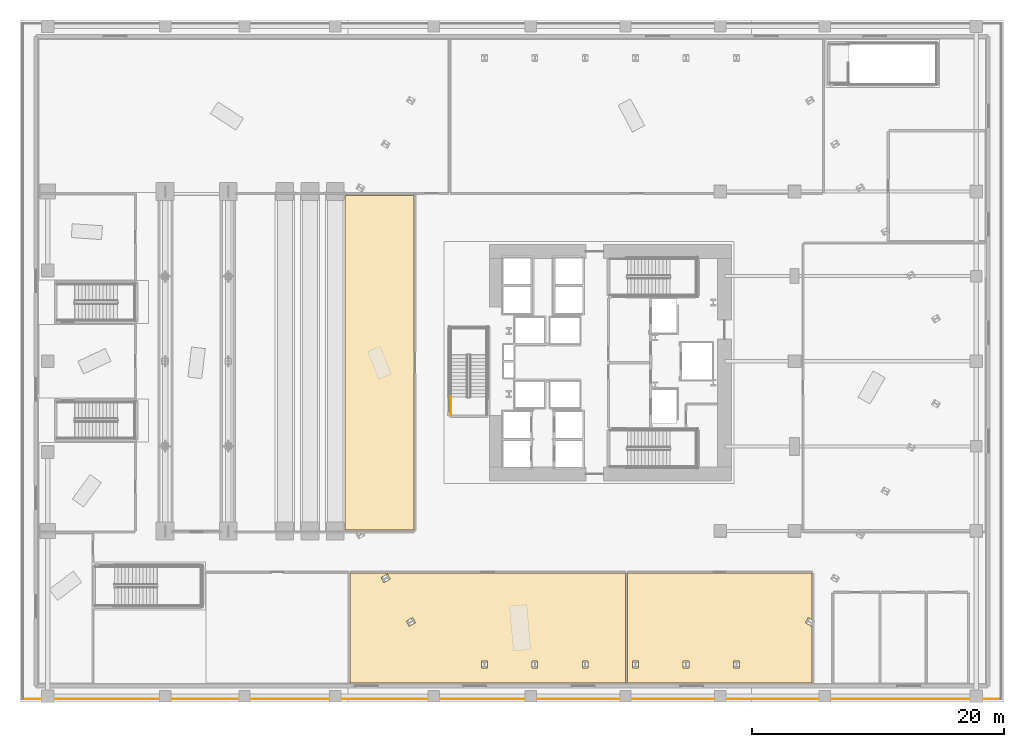
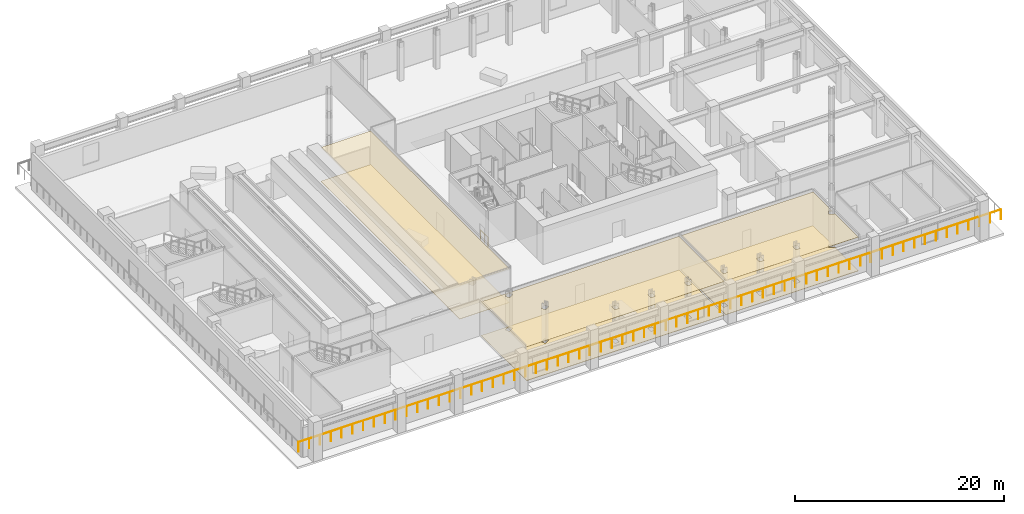
# One storey, part 16 of 24: 6 coverings, 2 railings.
"""IFC4 building model written with IfcOpenShell, lengths in metres."""

from ifc_helpers import new_model, si_unit, direction, frame, origin, origin_2d, place, context, subcontext, project, spatial, polyline, circle, outline, extrude, material, layer, layer_set, type_object, element, save


model = new_model("IFC4")

# Units and contexts
model_context = context("Model", 3, precision=1e-05, world=origin(), true_north=direction((0.0, 1.0)))
body_context = subcontext(model_context, "Body", "Model", "MODEL_VIEW")
ifc_project = project(units=[si_unit("LENGTHUNIT", "METRE"), si_unit("AREAUNIT", "SQUARE_METRE"), si_unit("VOLUMEUNIT", "CUBIC_METRE"), si_unit("PLANEANGLEUNIT", "RADIAN"), si_unit("MASSUNIT", "GRAM", prefix="KILO")], contexts=[model_context])

# Site, building, storey
site_placement = place(None, origin())
site = spatial("IfcSite", under=ifc_project, at=site_placement, CompositionType="ELEMENT")
building_placement = place(site_placement, origin())
building = spatial("IfcBuilding", under=site, at=building_placement, Name="Valkerne Bourse Tower", CompositionType="ELEMENT")
storey_placement = place(building_placement, frame((0.0, 0.0, 19.39990234375)))
storey = spatial("IfcBuildingStorey", under=building, at=storey_placement, Name="L04", CompositionType="ELEMENT", Elevation=19.39990234375)

# Coverings
ifc_material_1 = material(Name="Mineral Fiber Acoustic Ceiling Tile", Category="acoustic")
ifc_layer_1 = layer(ifc_material_1, 0.02490234375)
ifc_layer_set_1 = layer_set([ifc_layer_1], Name="Mineral Fiber Acoustic Ceiling Tile")
covering_type_1 = type_object("IfcCoveringType", Name="COV-CEIL-ACT", PredefinedType="CEILING", material=ifc_layer_set_1)
covering_1_placement = place(storey_placement, frame((0.0, 0.0, 3.9501953125)))
element("IfcCovering", 1, at=covering_1_placement, inside=storey, type_object=covering_type_1, Name="L04 Suspended Ceiling 03", PredefinedType="CEILING", context=body_context, shape_type="SweptSolid", body=[
    extrude(outline(polyline([(26.1640625, 10.196044921875), (47.99609375, 10.196044921875), (47.99609375, 1.50390625), (26.1640625, 1.50390625), (26.1640625, 10.196044921875)]), holes=[polyline([(30.616943359375, 6.388427734375), (30.848388671875, 5.98779296875), (31.347900390625, 6.276123046875), (31.11669921875, 6.677001953125), (30.616943359375, 6.388427734375)]), polyline([(28.618896484375, 9.84912109375), (28.850341796875, 9.4482421875), (29.35009765625, 9.73681640625), (29.11865234375, 10.137451171875), (28.618896484375, 9.84912109375)]), polyline([(36.57861328125, 3.25634765625), (36.57861328125, 2.67919921875), (37.04150390625, 2.67919921875), (37.04150390625, 3.25634765625), (36.57861328125, 3.25634765625)]), polyline([(41.037353515625, 3.25634765625), (40.57470703125, 3.25634765625), (40.57470703125, 2.67919921875), (41.037353515625, 2.67919921875), (41.037353515625, 3.25634765625)]), polyline([(44.57080078125, 3.25634765625), (44.57080078125, 2.67919921875), (45.033203125, 2.67919921875), (45.033203125, 3.25634765625), (44.57080078125, 3.25634765625)])]), origin(), (0.0, 0.0, 1.0), 0.02490234375),
])
covering_2_placement = place(storey_placement, frame((0.0, 0.0, 3.9501953125)))
element("IfcCovering", 2, at=covering_2_placement, inside=storey, type_object=covering_type_1, Name="L04 Suspended Ceiling 04", PredefinedType="CEILING", context=body_context, shape_type="SweptSolid", body=[
    extrude(outline(polyline([(48.1640625, 10.196044921875), (62.7958984375, 10.196044921875), (62.7958984375, 6.496337890625), (62.4833984375, 6.677001953125), (62.251953125, 6.276123046875), (62.751708984375, 5.98779296875), (62.7958984375, 6.064453125), (62.7958984375, 1.50390625), (48.1640625, 1.50390625), (48.1640625, 10.196044921875)]), holes=[polyline([(56.55859375, 3.25634765625), (56.55859375, 2.67919921875), (57.021240234375, 2.67919921875), (57.021240234375, 3.25634765625), (56.55859375, 3.25634765625)]), polyline([(53.025390625, 3.25634765625), (52.5625, 3.25634765625), (52.5625, 2.67919921875), (53.025390625, 2.67919921875), (53.025390625, 3.25634765625)]), polyline([(49.029296875, 3.25634765625), (48.566650390625, 3.25634765625), (48.566650390625, 2.67919921875), (49.029296875, 2.67919921875), (49.029296875, 3.25634765625)])]), origin(), (0.0, 0.0, 1.0), 0.02490234375),
])
covering_3_placement = place(storey_placement, frame((0.0, 0.0, 3.9501953125)))
element("IfcCovering", 3, at=covering_3_placement, inside=storey, type_object=covering_type_1, Name="L04 Suspended Ceiling 16", PredefinedType="CEILING", context=body_context, shape_type="SweptSolid", body=[
    extrude(outline(polyline([(31.24609375, 13.60400390625), (25.751953125, 13.60400390625), (25.751953125, 40.14599609375), (31.24609375, 40.14599609375), (31.24609375, 13.60400390625)])), origin(), (0.0, 0.0, 1.0), 0.02490234375),
])
ifc_material_2 = material(Name="Galvanised Painted Steel", Category="steel")
ifc_layer_2 = layer(ifc_material_2, 0.044921875)
ifc_layer_set_2 = layer_set([ifc_layer_2], Name="Galvanised Painted Steel")
covering_type_2 = type_object("IfcCoveringType", Name="COV-FLR-RAF", PredefinedType="FLOORING", material=ifc_layer_set_2)
covering_4_placement = place(storey_placement, origin())
element("IfcCovering", 4, at=covering_4_placement, inside=storey, type_object=covering_type_2, Name="L04 Floor Finish 03", PredefinedType="FLOORING", context=body_context, shape_type="SweptSolid", body=[
    extrude(outline(polyline([(26.1640625, 10.196044921875), (47.99609375, 10.196044921875), (47.99609375, 1.50390625), (26.1640625, 1.50390625), (26.1640625, 10.196044921875)]), holes=[polyline([(30.616943359375, 6.388427734375), (30.848388671875, 5.98779296875), (31.347900390625, 6.276123046875), (31.11669921875, 6.677001953125), (30.616943359375, 6.388427734375)]), polyline([(28.618896484375, 9.84912109375), (28.850341796875, 9.4482421875), (29.35009765625, 9.73681640625), (29.11865234375, 10.137451171875), (28.618896484375, 9.84912109375)]), polyline([(36.57861328125, 3.25634765625), (36.57861328125, 2.67919921875), (37.04150390625, 2.67919921875), (37.04150390625, 3.25634765625), (36.57861328125, 3.25634765625)]), polyline([(41.037353515625, 3.25634765625), (40.57470703125, 3.25634765625), (40.57470703125, 2.67919921875), (41.037353515625, 2.67919921875), (41.037353515625, 3.25634765625)]), polyline([(44.57080078125, 3.25634765625), (44.57080078125, 2.67919921875), (45.033203125, 2.67919921875), (45.033203125, 3.25634765625), (44.57080078125, 3.25634765625)])]), origin(), (0.0, 0.0, 1.0), 0.045166015625),
])
covering_5_placement = place(storey_placement, origin())
element("IfcCovering", 5, at=covering_5_placement, inside=storey, type_object=covering_type_2, Name="L04 Floor Finish 04", PredefinedType="FLOORING", context=body_context, shape_type="SweptSolid", body=[
    extrude(outline(polyline([(48.1640625, 10.196044921875), (62.7958984375, 10.196044921875), (62.7958984375, 6.496337890625), (62.4833984375, 6.677001953125), (62.251953125, 6.276123046875), (62.751708984375, 5.98779296875), (62.7958984375, 6.064453125), (62.7958984375, 1.50390625), (48.1640625, 1.50390625), (48.1640625, 10.196044921875)]), holes=[polyline([(56.55859375, 3.25634765625), (56.55859375, 2.67919921875), (57.021240234375, 2.67919921875), (57.021240234375, 3.25634765625), (56.55859375, 3.25634765625)]), polyline([(53.025390625, 3.25634765625), (52.5625, 3.25634765625), (52.5625, 2.67919921875), (53.025390625, 2.67919921875), (53.025390625, 3.25634765625)]), polyline([(49.029296875, 3.25634765625), (48.566650390625, 3.25634765625), (48.566650390625, 2.67919921875), (49.029296875, 2.67919921875), (49.029296875, 3.25634765625)])]), origin(), (0.0, 0.0, 1.0), 0.045166015625),
])
covering_6_placement = place(storey_placement, origin())
element("IfcCovering", 6, at=covering_6_placement, inside=storey, type_object=covering_type_2, Name="L04 Floor Finish 16", PredefinedType="FLOORING", context=body_context, shape_type="SweptSolid", body=[
    extrude(outline(polyline([(31.24609375, 13.60400390625), (25.751953125, 13.60400390625), (25.751953125, 40.14599609375), (31.24609375, 40.14599609375), (31.24609375, 13.60400390625)])), origin(), (0.0, 0.0, 1.0), 0.045166015625),
])

# Railings
ifc_material_3 = material(Name="Laminated Tempered Safety Glass", Category="glass")
railing_type_1 = type_object("IfcRailingType", Name="RLG-GUARD-1150", PredefinedType="BALUSTRADE", material=ifc_material_3)
railing_1_placement = place(storey_placement, frame((0.219970703125, 0.219970703125, 1.60009765625)))
element("IfcRailing", 7, at=railing_1_placement, inside=storey, type_object=railing_type_1, Name="L04 Perimeter Guard Railing GRD-POD-L04-01", PredefinedType="BALUSTRADE", context=body_context, shape_type="SweptSolid", body=[
    extrude(circle(Radius=0.02392578125, at=origin_2d()), frame((0.0, 0.0, 1.1259765625), z_axis=(1.0, 0.0, 0.0), x_axis=(0.0, 1.0, 0.0)), (0.0, 0.0, 1.0), 77.56005859375),
    extrude(circle(Radius=0.02099609375, at=origin_2d()), origin(), (0.0, 0.0, 1.0), 1.101806640625),
    extrude(circle(Radius=0.02099609375, at=origin_2d()), frame((1.193115234375, 0.0, 0.0)), (0.0, 0.0, 1.0), 1.101806640625),
    extrude(circle(Radius=0.02099609375, at=origin_2d()), frame((2.386474609375, 0.0, 0.0)), (0.0, 0.0, 1.0), 1.101806640625),
    extrude(circle(Radius=0.02099609375, at=origin_2d()), frame((3.57958984375, 0.0, 0.0)), (0.0, 0.0, 1.0), 1.101806640625),
    extrude(circle(Radius=0.02099609375, at=origin_2d()), frame((4.77294921875, 0.0, 0.0)), (0.0, 0.0, 1.0), 1.101806640625),
    extrude(circle(Radius=0.02099609375, at=origin_2d()), frame((5.966064453125, 0.0, 0.0)), (0.0, 0.0, 1.0), 1.101806640625),
    extrude(circle(Radius=0.02099609375, at=origin_2d()), frame((7.159423828125, 0.0, 0.0)), (0.0, 0.0, 1.0), 1.101806640625),
    extrude(circle(Radius=0.02099609375, at=origin_2d()), frame((8.3525390625, 0.0, 0.0)), (0.0, 0.0, 1.0), 1.101806640625),
    extrude(circle(Radius=0.02099609375, at=origin_2d()), frame((9.5458984375, 0.0, 0.0)), (0.0, 0.0, 1.0), 1.101806640625),
    extrude(circle(Radius=0.02099609375, at=origin_2d()), frame((10.739013671875, 0.0, 0.0)), (0.0, 0.0, 1.0), 1.101806640625),
    extrude(circle(Radius=0.02099609375, at=origin_2d()), frame((11.932373046875, 0.0, 0.0)), (0.0, 0.0, 1.0), 1.101806640625),
    extrude(circle(Radius=0.02099609375, at=origin_2d()), frame((13.12548828125, 0.0, 0.0)), (0.0, 0.0, 1.0), 1.101806640625),
    extrude(circle(Radius=0.02099609375, at=origin_2d()), frame((14.31884765625, 0.0, 0.0)), (0.0, 0.0, 1.0), 1.101806640625),
    extrude(circle(Radius=0.02099609375, at=origin_2d()), frame((15.511962890625, 0.0, 0.0)), (0.0, 0.0, 1.0), 1.101806640625),
    extrude(circle(Radius=0.02099609375, at=origin_2d()), frame((16.705322265625, 0.0, 0.0)), (0.0, 0.0, 1.0), 1.101806640625),
    extrude(circle(Radius=0.02099609375, at=origin_2d()), frame((17.8984375, 0.0, 0.0)), (0.0, 0.0, 1.0), 1.101806640625),
    extrude(circle(Radius=0.02099609375, at=origin_2d()), frame((19.091796875, 0.0, 0.0)), (0.0, 0.0, 1.0), 1.101806640625),
    extrude(circle(Radius=0.02099609375, at=origin_2d()), frame((20.284912109375, 0.0, 0.0)), (0.0, 0.0, 1.0), 1.101806640625),
    extrude(circle(Radius=0.02099609375, at=origin_2d()), frame((21.478271484375, 0.0, 0.0)), (0.0, 0.0, 1.0), 1.101806640625),
    extrude(circle(Radius=0.02099609375, at=origin_2d()), frame((22.67138671875, 0.0, 0.0)), (0.0, 0.0, 1.0), 1.101806640625),
    extrude(circle(Radius=0.02099609375, at=origin_2d()), frame((23.86474609375, 0.0, 0.0)), (0.0, 0.0, 1.0), 1.101806640625),
    extrude(circle(Radius=0.02099609375, at=origin_2d()), frame((25.057861328125, 0.0, 0.0)), (0.0, 0.0, 1.0), 1.101806640625),
    extrude(circle(Radius=0.02099609375, at=origin_2d()), frame((26.2509765625, 0.0, 0.0)), (0.0, 0.0, 1.0), 1.101806640625),
    extrude(circle(Radius=0.02099609375, at=origin_2d()), frame((27.4443359375, 0.0, 0.0)), (0.0, 0.0, 1.0), 1.101806640625),
    extrude(circle(Radius=0.02099609375, at=origin_2d()), frame((28.637451171875, 0.0, 0.0)), (0.0, 0.0, 1.0), 1.101806640625),
    extrude(circle(Radius=0.02099609375, at=origin_2d()), frame((29.830810546875, 0.0, 0.0)), (0.0, 0.0, 1.0), 1.101806640625),
    extrude(circle(Radius=0.02099609375, at=origin_2d()), frame((31.02392578125, 0.0, 0.0)), (0.0, 0.0, 1.0), 1.101806640625),
    extrude(circle(Radius=0.02099609375, at=origin_2d()), frame((32.21728515625, 0.0, 0.0)), (0.0, 0.0, 1.0), 1.101806640625),
    extrude(circle(Radius=0.02099609375, at=origin_2d()), frame((33.410400390625, 0.0, 0.0)), (0.0, 0.0, 1.0), 1.101806640625),
    extrude(circle(Radius=0.02099609375, at=origin_2d()), frame((34.603759765625, 0.0, 0.0)), (0.0, 0.0, 1.0), 1.101806640625),
    extrude(circle(Radius=0.02099609375, at=origin_2d()), frame((35.796875, 0.0, 0.0)), (0.0, 0.0, 1.0), 1.101806640625),
    extrude(circle(Radius=0.02099609375, at=origin_2d()), frame((36.990234375, 0.0, 0.0)), (0.0, 0.0, 1.0), 1.101806640625),
    extrude(circle(Radius=0.02099609375, at=origin_2d()), frame((38.183349609375, 0.0, 0.0)), (0.0, 0.0, 1.0), 1.101806640625),
    extrude(circle(Radius=0.02099609375, at=origin_2d()), frame((39.376708984375, 0.0, 0.0)), (0.0, 0.0, 1.0), 1.101806640625),
    extrude(circle(Radius=0.02099609375, at=origin_2d()), frame((40.56982421875, 0.0, 0.0)), (0.0, 0.0, 1.0), 1.101806640625),
    extrude(circle(Radius=0.02099609375, at=origin_2d()), frame((41.76318359375, 0.0, 0.0)), (0.0, 0.0, 1.0), 1.101806640625),
    extrude(circle(Radius=0.02099609375, at=origin_2d()), frame((42.956298828125, 0.0, 0.0)), (0.0, 0.0, 1.0), 1.101806640625),
    extrude(circle(Radius=0.02099609375, at=origin_2d()), frame((44.149658203125, 0.0, 0.0)), (0.0, 0.0, 1.0), 1.101806640625),
    extrude(circle(Radius=0.02099609375, at=origin_2d()), frame((45.3427734375, 0.0, 0.0)), (0.0, 0.0, 1.0), 1.101806640625),
    extrude(circle(Radius=0.02099609375, at=origin_2d()), frame((46.5361328125, 0.0, 0.0)), (0.0, 0.0, 1.0), 1.101806640625),
    extrude(circle(Radius=0.02099609375, at=origin_2d()), frame((47.729248046875, 0.0, 0.0)), (0.0, 0.0, 1.0), 1.101806640625),
    extrude(circle(Radius=0.02099609375, at=origin_2d()), frame((48.922607421875, 0.0, 0.0)), (0.0, 0.0, 1.0), 1.101806640625),
    extrude(circle(Radius=0.02099609375, at=origin_2d()), frame((50.11572265625, 0.0, 0.0)), (0.0, 0.0, 1.0), 1.101806640625),
    extrude(circle(Radius=0.02099609375, at=origin_2d()), frame((51.30908203125, 0.0, 0.0)), (0.0, 0.0, 1.0), 1.101806640625),
    extrude(circle(Radius=0.02099609375, at=origin_2d()), frame((52.502197265625, 0.0, 0.0)), (0.0, 0.0, 1.0), 1.101806640625),
    extrude(circle(Radius=0.02099609375, at=origin_2d()), frame((53.6953125, 0.0, 0.0)), (0.0, 0.0, 1.0), 1.101806640625),
    extrude(circle(Radius=0.02099609375, at=origin_2d()), frame((54.888671875, 0.0, 0.0)), (0.0, 0.0, 1.0), 1.101806640625),
    extrude(circle(Radius=0.02099609375, at=origin_2d()), frame((56.081787109375, 0.0, 0.0)), (0.0, 0.0, 1.0), 1.101806640625),
    extrude(circle(Radius=0.02099609375, at=origin_2d()), frame((57.275146484375, 0.0, 0.0)), (0.0, 0.0, 1.0), 1.101806640625),
    extrude(circle(Radius=0.02099609375, at=origin_2d()), frame((58.46826171875, 0.0, 0.0)), (0.0, 0.0, 1.0), 1.101806640625),
    extrude(circle(Radius=0.02099609375, at=origin_2d()), frame((59.66162109375, 0.0, 0.0)), (0.0, 0.0, 1.0), 1.101806640625),
    extrude(circle(Radius=0.02099609375, at=origin_2d()), frame((60.854736328125, 0.0, 0.0)), (0.0, 0.0, 1.0), 1.101806640625),
    extrude(circle(Radius=0.02099609375, at=origin_2d()), frame((62.048095703125, 0.0, 0.0)), (0.0, 0.0, 1.0), 1.101806640625),
    extrude(circle(Radius=0.02099609375, at=origin_2d()), frame((63.2412109375, 0.0, 0.0)), (0.0, 0.0, 1.0), 1.101806640625),
    extrude(circle(Radius=0.02099609375, at=origin_2d()), frame((64.4345703125, 0.0, 0.0)), (0.0, 0.0, 1.0), 1.101806640625),
    extrude(circle(Radius=0.02099609375, at=origin_2d()), frame((65.627685546875, 0.0, 0.0)), (0.0, 0.0, 1.0), 1.101806640625),
    extrude(circle(Radius=0.02099609375, at=origin_2d()), frame((66.821044921875, 0.0, 0.0)), (0.0, 0.0, 1.0), 1.101806640625),
    extrude(circle(Radius=0.02099609375, at=origin_2d()), frame((68.01416015625, 0.0, 0.0)), (0.0, 0.0, 1.0), 1.101806640625),
    extrude(circle(Radius=0.02099609375, at=origin_2d()), frame((69.20751953125, 0.0, 0.0)), (0.0, 0.0, 1.0), 1.101806640625),
    extrude(circle(Radius=0.02099609375, at=origin_2d()), frame((70.400634765625, 0.0, 0.0)), (0.0, 0.0, 1.0), 1.101806640625),
    extrude(circle(Radius=0.02099609375, at=origin_2d()), frame((71.593994140625, 0.0, 0.0)), (0.0, 0.0, 1.0), 1.101806640625),
    extrude(circle(Radius=0.02099609375, at=origin_2d()), frame((72.787109375, 0.0, 0.0)), (0.0, 0.0, 1.0), 1.101806640625),
    extrude(circle(Radius=0.02099609375, at=origin_2d()), frame((73.98046875, 0.0, 0.0)), (0.0, 0.0, 1.0), 1.101806640625),
    extrude(circle(Radius=0.02099609375, at=origin_2d()), frame((75.173583984375, 0.0, 0.0)), (0.0, 0.0, 1.0), 1.101806640625),
    extrude(circle(Radius=0.02099609375, at=origin_2d()), frame((76.366943359375, 0.0, 0.0)), (0.0, 0.0, 1.0), 1.101806640625),
    extrude(circle(Radius=0.02099609375, at=origin_2d()), frame((77.56005859375, 0.0, 0.0)), (0.0, 0.0, 1.0), 1.101806640625),
])
railing_type_2 = type_object("IfcRailingType", Name="RLG-ST-GUARD-1120", PredefinedType="GUARDRAIL", material=ifc_material_2)
railing_2_placement = place(storey_placement, frame((34.14990234375, 22.75, 0.0)))
element("IfcRailing", 8, at=railing_2_placement, inside=storey, type_object=railing_type_2, Name="L04 ST-3 stair guard 9", PredefinedType="GUARDRAIL", context=body_context, shape_type="SweptSolid", body=[
    extrude(circle(Radius=0.02392578125, at=origin_2d()), frame((0.0, 0.0, 1.09619140625), z_axis=(0.0, 1.0, 0.0), x_axis=(-1.0, 0.0, 0.0)), (0.0, 0.0, 1.0), 1.39990234375),
    extrude(circle(Radius=0.02099609375, at=origin_2d()), origin(), (0.0, 0.0, 1.0), 1.072021484375),
    extrude(circle(Radius=0.02099609375, at=origin_2d()), frame((0.0, 0.699951171875, 0.0)), (0.0, 0.0, 1.0), 1.072021484375),
    extrude(circle(Radius=0.02099609375, at=origin_2d()), frame((0.0, 1.39990234375, 0.0)), (0.0, 0.0, 1.0), 1.072021484375),
])

save(model, "model.ifc")
